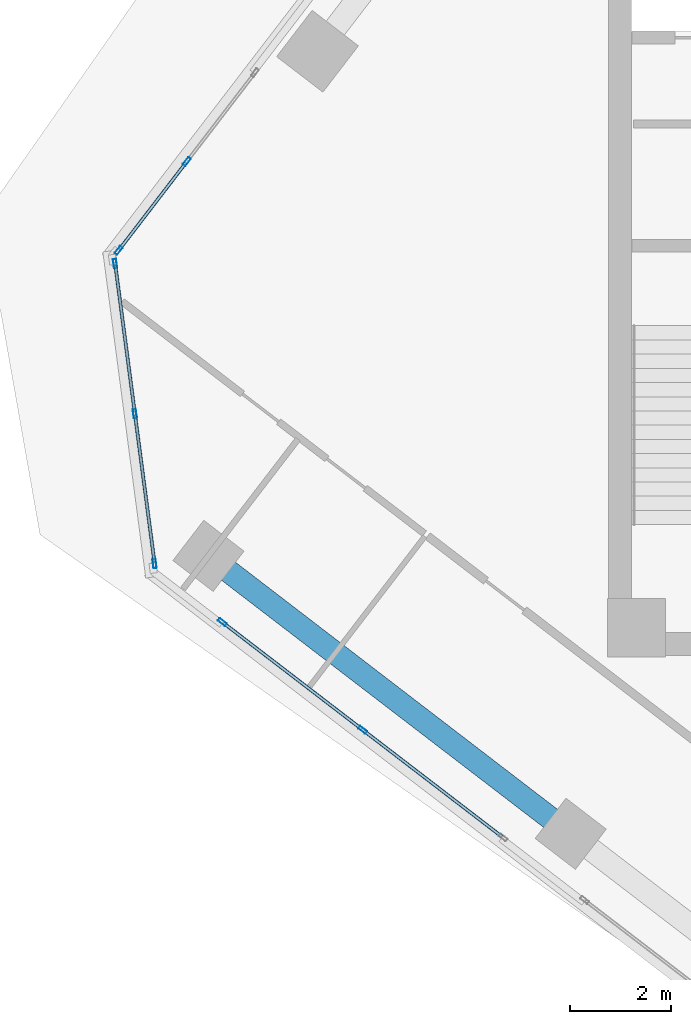
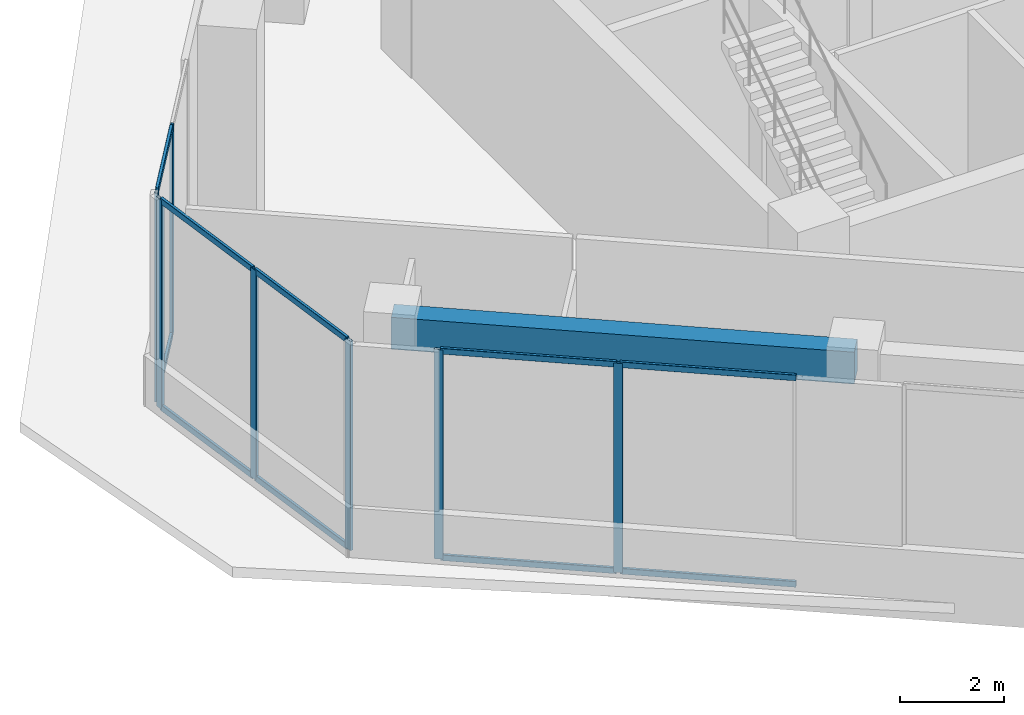
# One storey, part 4 of 23: 17 members, 1 beam, 3 elements without a shape of their own.
"""IFC4 building model written with IfcOpenShell, lengths in metres."""

from ifc_helpers import new_model, si_unit, direction, frame, origin, origin_2d, place, context, subcontext, project, spatial, rectangle, hollow_rectangle, extrude, source, transform, mapped, material, material_profile, profile_set, type_object, element, aggregate, save


model = new_model("IFC4")

# Units and contexts
model_context = context("Model", 3, precision=1e-05, world=origin(), true_north=direction((0.0, 1.0)))
body_context = subcontext(model_context, "Body", "Model", "MODEL_VIEW")
ifc_project = project(units=[si_unit("LENGTHUNIT", "METRE"), si_unit("AREAUNIT", "SQUARE_METRE"), si_unit("VOLUMEUNIT", "CUBIC_METRE"), si_unit("PLANEANGLEUNIT", "RADIAN"), si_unit("MASSUNIT", "GRAM", prefix="KILO")], contexts=[model_context])

# Site, building, storey
site_placement = place(None, origin())
site = spatial("IfcSite", under=ifc_project, at=site_placement, CompositionType="ELEMENT")
building_placement = place(site_placement, origin())
building = spatial("IfcBuilding", under=site, at=building_placement, Name="Torre Montelarca", CompositionType="ELEMENT")
storey_placement = place(building_placement, frame((0.0, 0.0, 204.39990234375)))
storey = spatial("IfcBuildingStorey", under=building, at=storey_placement, Name="L46", CompositionType="ELEMENT", Elevation=204.39990234375)

# Beam
ifc_material_1 = material(Name="Concrete C55/67", Category="concrete")
ifc_material_profile_1 = material_profile(ifc_material_1, rectangle(XDim=0.449951171875, YDim=0.75, at=origin_2d()), Name="RCB450X750", Category="concrete")
ifc_profile_set_1 = profile_set([ifc_material_profile_1], Name="Concrete C55/67")
beam_type = type_object("IfcBeamType", Name="BM-SP-RC750-EXT", PredefinedType="SPANDREL", material=ifc_profile_set_1)
shared_shape_1 = source(origin(), body_context, "Body", "SweptSolid", [
    extrude(rectangle(XDim=0.449951171875, YDim=0.75, at=origin_2d()), origin(), (0.0, 0.0, 1.0), 9.0),
])
beam_placement = place(storey_placement, frame((1.1123046875, 25.9638671875, 4.7451171875), z_axis=(0.793366603842, -0.608744143222, 0.0), x_axis=(0.608744143222, 0.793366603842, 0.0)))
element("IfcBeam", 1, at=beam_placement, inside=storey, type_object=beam_type, Name="L46 Grid Girder X 9.0-18.0 at Y=14.8", PredefinedType="SPANDREL", context=body_context, shape_type="MappedRepresentation", body=[
    mapped(shared_shape_1, transform((0.0, 0.0, 0.0), scale=1.0)),
])

# Curtain wall, members
ifc_material_2 = material(Name="Insulated low-E laminated glass", Category="glass")
curtain_wall_type = type_object("IfcCurtainWallType", Name="CW-SYS-Z2", PredefinedType="USERDEFINED", material=ifc_material_2)
curtain_wall_1_placement = place(storey_placement, origin())
curtain_wall_1 = element("IfcCurtainWall", 2, at=curtain_wall_1_placement, inside=storey, type_object=curtain_wall_type, Name="L46 Curtain Wall Run CW-T3-L46-E11-B1", ObjectType="UNITISED GLAZING", PredefinedType="USERDEFINED")
ifc_material_3 = material(Name="Anodised aluminium AA 6063-T6", Category="aluminium")
ifc_material_profile_2 = material_profile(ifc_material_3, hollow_rectangle(XDim=0.06494140625, YDim=0.139892578125, WallThickness=0.00390625, InnerFilletRadius=0.00390625, OuterFilletRadius=0.008056640625, at=origin_2d()), Name="ALU65X140X4", Category="aluminium")
ifc_profile_set_2 = profile_set([ifc_material_profile_2], Name="Anodised aluminium AA 6063-T6")
member_type_1 = type_object("IfcMemberType", Name="CWT-ALU140", PredefinedType="USERDEFINED", material=ifc_profile_set_2)
shared_shape_2 = source(origin(), body_context, "Body", "SweptSolid", [
    extrude(hollow_rectangle(XDim=0.06494140625, YDim=0.139892578125, WallThickness=0.00390625, InnerFilletRadius=0.00390625, OuterFilletRadius=0.008056640625, at=origin_2d()), origin(), (0.0, 0.0, 1.0), 2.918701171875),
])
member_1_placement = place(storey_placement, frame((-0.723388671875, 31.6943359375, 0.03271484375), z_axis=(0.130569188474, -0.991439199861, 0.0), x_axis=(0.991439199861, 0.130569188474, 0.0)))
member_1 = element("IfcMember", 3, at=member_1_placement, type_object=member_type_1, Name="CW transom 1.1", ObjectType="TRANSOM", PredefinedType="USERDEFINED", context=body_context, shape_type="MappedRepresentation", body=[
    mapped(shared_shape_2, transform((0.0, 0.0, 0.0), scale=1.0)),
])
member_2_placement = place(storey_placement, frame((-0.723388671875, 31.6943359375, 4.8876953125), z_axis=(0.130569188474, -0.991439199861, 0.0), x_axis=(0.991439199861, 0.130569188474, 0.0)))
member_2 = element("IfcMember", 4, at=member_2_placement, type_object=member_type_1, Name="CW transom 1.2", ObjectType="TRANSOM", PredefinedType="USERDEFINED", context=body_context, shape_type="MappedRepresentation", body=[
    mapped(shared_shape_2, transform((0.0, 0.0, 0.0), scale=1.0)),
])
shared_shape_3 = source(origin(), body_context, "Body", "SweptSolid", [
    extrude(hollow_rectangle(XDim=0.06494140625, YDim=0.139892578125, WallThickness=0.00390625, InnerFilletRadius=0.00390625, OuterFilletRadius=0.008056640625, at=origin_2d()), origin(), (0.0, 0.0, 1.0), 2.91845703125),
])
member_3_placement = place(storey_placement, frame((-0.333984375, 28.736083984375, 0.03271484375), z_axis=(0.130580017273, -0.991437773685, 0.0), x_axis=(0.991437773685, 0.130580017273, 0.0)))
member_3 = element("IfcMember", 5, at=member_3_placement, type_object=member_type_1, Name="CW transom 2.1", ObjectType="TRANSOM", PredefinedType="USERDEFINED", context=body_context, shape_type="MappedRepresentation", body=[
    mapped(shared_shape_3, transform((0.0, 0.0, 0.0), scale=1.0)),
])
member_4_placement = place(storey_placement, frame((-0.333984375, 28.736083984375, 4.8876953125), z_axis=(0.130580017273, -0.991437773685, 0.0), x_axis=(0.991437773685, 0.130580017273, 0.0)))
member_4 = element("IfcMember", 6, at=member_4_placement, type_object=member_type_1, Name="CW transom 2.2", ObjectType="TRANSOM", PredefinedType="USERDEFINED", context=body_context, shape_type="MappedRepresentation", body=[
    mapped(shared_shape_3, transform((0.0, 0.0, 0.0), scale=1.0)),
])

curtain_wall_2_placement = place(storey_placement, origin())
curtain_wall_2 = element("IfcCurtainWall", 7, at=curtain_wall_2_placement, inside=storey, type_object=curtain_wall_type, Name="L46 Curtain Wall Run CW-T3-L46-E01-B1", ObjectType="UNITISED GLAZING", PredefinedType="USERDEFINED")
ifc_material_profile_3 = material_profile(ifc_material_3, hollow_rectangle(XDim=0.06494140625, YDim=0.179931640625, WallThickness=0.00390625, InnerFilletRadius=0.00390625, OuterFilletRadius=0.008056640625, at=origin_2d()), Name="ALU65X180X4", Category="aluminium")
ifc_profile_set_3 = profile_set([ifc_material_profile_3], Name="Anodised aluminium AA 6063-T6")
member_type_2 = type_object("IfcMemberType", Name="CWM-ALU180", PredefinedType="MULLION", material=ifc_profile_set_3)
shared_shape_4 = source(origin(), body_context, "Body", "SweptSolid", [
    extrude(hollow_rectangle(XDim=0.06494140625, YDim=0.179931640625, WallThickness=0.00390625, InnerFilletRadius=0.00390625, OuterFilletRadius=0.008056640625, at=origin_2d()), origin(), (0.0, 0.0, 1.0), 4.920166015625),
])
member_5_placement = place(storey_placement, frame((1.385986328125, 24.6572265625, 0.0), z_axis=(0.0, 0.0, 1.0), x_axis=(0.608763691545, 0.793351604181, 0.0)))
member_5 = element("IfcMember", 8, at=member_5_placement, type_object=member_type_2, Name="CW mullion 1", PredefinedType="MULLION", context=body_context, shape_type="MappedRepresentation", body=[
    mapped(shared_shape_4, transform((0.0, 0.0, 0.0), scale=1.0)),
])
member_6_placement = place(storey_placement, frame((4.15283203125, 22.5341796875, 0.0), z_axis=(0.0, 0.0, 1.0), x_axis=(0.608763691545, 0.793351604181, 0.0)))
member_6 = element("IfcMember", 9, at=member_6_placement, type_object=member_type_2, Name="CW mullion 2", PredefinedType="MULLION", context=body_context, shape_type="MappedRepresentation", body=[
    mapped(shared_shape_4, transform((0.0, 0.0, 0.0), scale=1.0)),
])

curtain_wall_3_placement = place(storey_placement, origin())
curtain_wall_3 = element("IfcCurtainWall", 10, at=curtain_wall_3_placement, inside=storey, type_object=curtain_wall_type, Name="L46 Curtain Wall Run CW-T3-L46-E10-B3", ObjectType="UNITISED GLAZING", PredefinedType="USERDEFINED")
member_7_placement = place(storey_placement, frame((0.68505859375, 33.7353515625, 0.0), z_axis=(0.0, 0.0, 1.0), x_axis=(0.793350448962, -0.608765197043, 0.0)))
member_7 = element("IfcMember", 11, at=member_7_placement, type_object=member_type_2, Name="CW mullion 2", PredefinedType="MULLION", context=body_context, shape_type="MappedRepresentation", body=[
    mapped(shared_shape_4, transform((0.0, 0.0, 0.0), scale=1.0)),
])
member_8_placement = place(storey_placement, frame((-0.658447265625, 31.984375, 0.0), z_axis=(0.0, 0.0, 1.0), x_axis=(0.793350448962, -0.608765197043, 0.0)))
member_8 = element("IfcMember", 12, at=member_8_placement, type_object=member_type_2, Name="CW mullion 3", PredefinedType="MULLION", context=body_context, shape_type="MappedRepresentation", body=[
    mapped(shared_shape_4, transform((0.0, 0.0, 0.0), scale=1.0)),
])

# Member
member_9_placement = place(storey_placement, frame((-0.7275390625, 31.7265625, 0.0), z_axis=(0.0, 0.0, 1.0), x_axis=(0.991446450787, 0.130514118862, 0.0)))
member_9 = element("IfcMember", 13, at=member_9_placement, type_object=member_type_2, Name="CW mullion 1", PredefinedType="MULLION", context=body_context, shape_type="MappedRepresentation", body=[
    mapped(shared_shape_4, transform((0.0, 0.0, 0.0), scale=1.0)),
])

member_10_placement = place(storey_placement, frame((-0.338134765625, 28.768310546875, 0.0), z_axis=(0.0, 0.0, 1.0), x_axis=(0.991446450787, 0.130514118862, 0.0)))
member_10 = element("IfcMember", 14, at=member_10_placement, type_object=member_type_2, Name="CW mullion 2", PredefinedType="MULLION", context=body_context, shape_type="MappedRepresentation", body=[
    mapped(shared_shape_4, transform((0.0, 0.0, 0.0), scale=1.0)),
])

member_11_placement = place(storey_placement, frame((0.05126953125, 25.810302734375, 0.0), z_axis=(0.0, 0.0, 1.0), x_axis=(0.991446450787, 0.130514118862, 0.0)))
member_11 = element("IfcMember", 15, at=member_11_placement, type_object=member_type_2, Name="CW mullion 3", PredefinedType="MULLION", context=body_context, shape_type="MappedRepresentation", body=[
    mapped(shared_shape_4, transform((0.0, 0.0, 0.0), scale=1.0)),
])

aggregate(curtain_wall_1, [member_9, member_10, member_11, member_1, member_2, member_3, member_4])

shared_shape_5 = source(origin(), body_context, "Body", "SweptSolid", [
    extrude(hollow_rectangle(XDim=0.06494140625, YDim=0.139892578125, WallThickness=0.00390625, InnerFilletRadius=0.00390625, OuterFilletRadius=0.008056640625, at=origin_2d()), origin(), (0.0, 0.0, 1.0), 3.422607421875),
])
member_12_placement = place(storey_placement, frame((1.411865234375, 24.637451171875, 0.03271484375), z_axis=(0.793360601133, -0.608751966379, 0.0), x_axis=(0.608751966379, 0.793360601133, 0.0)))
member_12 = element("IfcMember", 16, at=member_12_placement, type_object=member_type_1, Name="CW transom 1.1", ObjectType="TRANSOM", PredefinedType="USERDEFINED", context=body_context, shape_type="MappedRepresentation", body=[
    mapped(shared_shape_5, transform((0.0, 0.0, 0.0), scale=1.0)),
])

member_13_placement = place(storey_placement, frame((1.411865234375, 24.637451171875, 4.8876953125), z_axis=(0.793360601133, -0.608751966379, 0.0), x_axis=(0.608751966379, 0.793360601133, 0.0)))
member_13 = element("IfcMember", 17, at=member_13_placement, type_object=member_type_1, Name="CW transom 1.2", ObjectType="TRANSOM", PredefinedType="USERDEFINED", context=body_context, shape_type="MappedRepresentation", body=[
    mapped(shared_shape_5, transform((0.0, 0.0, 0.0), scale=1.0)),
])

member_14_placement = place(storey_placement, frame((4.1787109375, 22.514404296875, 0.03271484375), z_axis=(0.793360601133, -0.608751966379, 0.0), x_axis=(0.608751966379, 0.793360601133, 0.0)))
member_14 = element("IfcMember", 18, at=member_14_placement, type_object=member_type_1, Name="CW transom 2.1", ObjectType="TRANSOM", PredefinedType="USERDEFINED", context=body_context, shape_type="MappedRepresentation", body=[
    mapped(shared_shape_5, transform((0.0, 0.0, 0.0), scale=1.0)),
])

member_15_placement = place(storey_placement, frame((4.1787109375, 22.514404296875, 4.8876953125), z_axis=(0.793360601133, -0.608751966379, 0.0), x_axis=(0.608751966379, 0.793360601133, 0.0)))
member_15 = element("IfcMember", 19, at=member_15_placement, type_object=member_type_1, Name="CW transom 2.2", ObjectType="TRANSOM", PredefinedType="USERDEFINED", context=body_context, shape_type="MappedRepresentation", body=[
    mapped(shared_shape_5, transform((0.0, 0.0, 0.0), scale=1.0)),
])

aggregate(curtain_wall_2, [member_5, member_6, member_12, member_13, member_14, member_15])

shared_shape_6 = source(origin(), body_context, "Body", "SweptSolid", [
    extrude(hollow_rectangle(XDim=0.06494140625, YDim=0.139892578125, WallThickness=0.00390625, InnerFilletRadius=0.00390625, OuterFilletRadius=0.008056640625, at=origin_2d()), origin(), (0.0, 0.0, 1.0), 2.14208984375),
])
member_16_placement = place(storey_placement, frame((0.665283203125, 33.70947265625, 0.03271484375), z_axis=(-0.60873537667, -0.793373330275, 0.0), x_axis=(0.793373330275, -0.60873537667, 0.0)))
member_16 = element("IfcMember", 20, at=member_16_placement, type_object=member_type_1, Name="CW transom 2.1", ObjectType="TRANSOM", PredefinedType="USERDEFINED", context=body_context, shape_type="MappedRepresentation", body=[
    mapped(shared_shape_6, transform((0.0, 0.0, 0.0), scale=1.0)),
])

member_17_placement = place(storey_placement, frame((0.665283203125, 33.70947265625, 4.8876953125), z_axis=(-0.60873537667, -0.793373330275, 0.0), x_axis=(0.793373330275, -0.60873537667, 0.0)))
member_17 = element("IfcMember", 21, at=member_17_placement, type_object=member_type_1, Name="CW transom 2.2", ObjectType="TRANSOM", PredefinedType="USERDEFINED", context=body_context, shape_type="MappedRepresentation", body=[
    mapped(shared_shape_6, transform((0.0, 0.0, 0.0), scale=1.0)),
])

aggregate(curtain_wall_3, [member_7, member_8, member_16, member_17])

save(model, "model.ifc")
